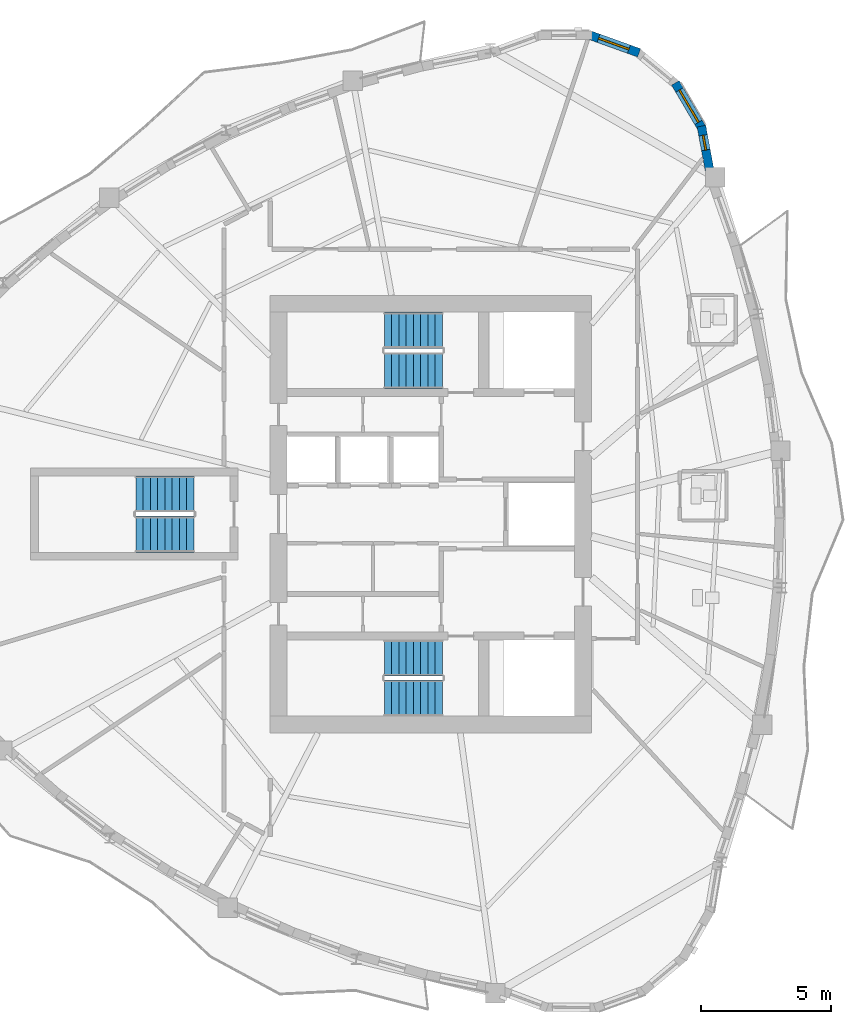
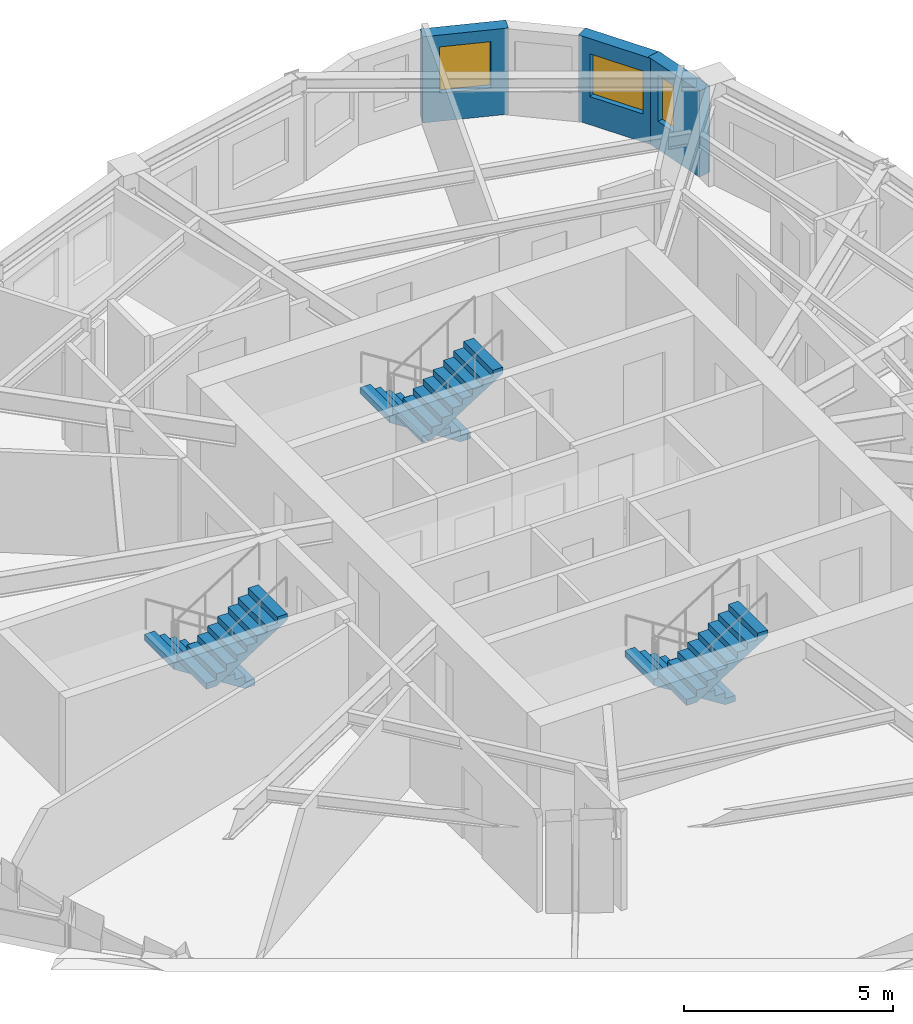
# One storey, part 8 of 12: 6 stair flights, 3 walls, 3 windows, 3 openings, 3 elements without a shape of their own.
"""IFC4 building model written with IfcOpenShell, lengths in metres."""

from ifc_helpers import new_model, si_unit, direction, frame, frame_2d, origin, place, context, subcontext, project, spatial, polyline, rectangle, outline, extrude, source, transform, mapped, material, layer, layer_set, type_object, element, fill, aggregate, save


model = new_model("IFC4")

# Units and contexts
model_context = context("Model", 3, precision=1e-05, world=origin(), true_north=direction((0.0, 1.0)))
body_context = subcontext(model_context, "Body", "Model", "MODEL_VIEW")
ifc_project = project(units=[si_unit("LENGTHUNIT", "METRE"), si_unit("AREAUNIT", "SQUARE_METRE"), si_unit("VOLUMEUNIT", "CUBIC_METRE"), si_unit("PLANEANGLEUNIT", "RADIAN"), si_unit("MASSUNIT", "GRAM", prefix="KILO")], contexts=[model_context])

# Site, building, storey
site_placement = place(None, origin())
site = spatial("IfcSite", under=ifc_project, at=site_placement, CompositionType="ELEMENT")
building_placement = place(site_placement, origin())
building = spatial("IfcBuilding", under=site, at=building_placement, Name="Qafzar Sky-Pleat Residences", CompositionType="ELEMENT")
storey_placement = place(building_placement, frame((0.0, 0.0, 149.0)))
storey = spatial("IfcBuildingStorey", under=building, at=storey_placement, Name="L44", CompositionType="ELEMENT", Elevation=149.0)

# Wall, opening, window
ifc_material_1 = material(Name="Precast concrete C40/50 with honed Riyadh limestone", Category="concrete")
ifc_layer = layer(ifc_material_1, 0.340087890625)
ifc_layer_set = layer_set([ifc_layer], Name="Precast concrete C40/50 with honed Riyadh limestone")
wall_type = type_object("IfcWallType", Name="WALL-EXT-340", PredefinedType="SOLIDWALL", material=ifc_layer_set)
wall_1_placement = place(storey_placement, frame((41.142822265625, 39.12353515625, 0.0), z_axis=(0.0, 0.0, 1.0), x_axis=(-0.182320770307, 0.983239104549, 0.0)))
wall_1 = element("IfcWall", 1, at=wall_1_placement, inside=storey, type_object=wall_type, Name="L44 Limestone Facade Wall 33", PredefinedType="SOLIDWALL", context=body_context, shape_type="SweptSolid", body=[
    extrude(rectangle(XDim=1.88818359375, YDim=0.340087890625, at=frame_2d((0.944091796875, 0.0))), origin(), (0.0, 0.0, 1.0), 2.514892578125),
])
opening_1_placement = place(wall_1_placement, frame((0.949462890625, 0.0, 0.820068359375)))
opening_1 = element("IfcOpeningElement", 2, at=opening_1_placement, cuts=wall_1, Name="Opening WN-17", PredefinedType="OPENING", context=body_context, shape_type="SweptSolid", body=[
    extrude(rectangle(XDim=0.580078125, YDim=1.35009765625, at=frame_2d((0.2900390625, 0.675048828125))), frame((0.0, 0.18017578125, 0.0), z_axis=(0.0, -1.0, 0.0), x_axis=(1.0, 0.0, 0.0)), (0.0, 0.0, 1.0), 0.360107421875),
])
ifc_material_2 = material(Name="Solar-control low-E glass in bronze aluminium frame", Category="glass")
window_type_1 = type_object("IfcWindowType", Name="WIN-17", PartitioningType="SINGLE_PANEL", PredefinedType="WINDOW", material=ifc_material_2)
shared_shape_1 = source(origin(), body_context, "Body", "SweptSolid", [
    extrude(rectangle(XDim=0.580078125, YDim=1.35009765625, at=frame_2d((0.2900390625, 0.675048828125))), frame((0.0, 0.030029296875, 0.0), z_axis=(0.0, -1.0, 0.0), x_axis=(1.0, 0.0, 0.0)), (0.0, 0.0, 1.0), 0.06005859375),
])
window_1_placement = place(opening_1_placement, origin())
window_1 = element("IfcWindow", 3, at=window_1_placement, inside=storey, type_object=window_type_1, Name="L44 Punched Facade Window 33-2", OverallHeight=1.35009765625, OverallWidth=0.580078125, PartitioningType="SINGLE_PANEL", PredefinedType="WINDOW", context=body_context, shape_type="MappedRepresentation", body=[
    mapped(shared_shape_1, transform((0.0, 0.0, 0.0), x_axis=(1.0, 0.0, 0.0), y_axis=(0.0, 1.0, 0.0), z_axis=(0.0, 0.0, 1.0), scale=1.0)),
])
fill(opening_1, window_1)

wall_2_placement = place(storey_placement, frame((40.84521484375, 40.85498046875, 0.0), z_axis=(0.0, 0.0, 1.0), x_axis=(-0.506225227923, 0.862401309493, 0.0)))
wall_2 = element("IfcWall", 4, at=wall_2_placement, inside=storey, type_object=wall_type, Name="L44 Limestone Facade Wall 34", PredefinedType="SOLIDWALL", context=body_context, shape_type="SweptSolid", body=[
    extrude(rectangle(XDim=2.0810546875, YDim=0.340087890625, at=frame_2d((1.04052734375, 0.0))), origin(), (0.0, 0.0, 1.0), 2.514892578125),
])
opening_2_placement = place(wall_2_placement, frame((0.315673828125, 0.0, 0.820068359375)))
opening_2 = element("IfcOpeningElement", 5, at=opening_2_placement, cuts=wall_2, Name="Opening WN-15", PredefinedType="OPENING", context=body_context, shape_type="SweptSolid", body=[
    extrude(rectangle(XDim=1.449951171875, YDim=1.25, at=frame_2d((0.72509765625, 0.625))), frame((0.0, 0.18017578125, 0.0), z_axis=(0.0, -1.0, 0.0), x_axis=(1.0, 0.0, 0.0)), (0.0, 0.0, 1.0), 0.360107421875),
])
window_type_2 = type_object("IfcWindowType", Name="WIN-15", PartitioningType="SINGLE_PANEL", PredefinedType="WINDOW", material=ifc_material_2)
shared_shape_2 = source(origin(), body_context, "Body", "SweptSolid", [
    extrude(rectangle(XDim=1.449951171875, YDim=1.25, at=frame_2d((0.72509765625, 0.625))), frame((0.0, 0.030029296875, 0.0), z_axis=(0.0, -1.0, 0.0), x_axis=(1.0, 0.0, 0.0)), (0.0, 0.0, 1.0), 0.06005859375),
])
window_2_placement = place(opening_2_placement, origin())
window_2 = element("IfcWindow", 6, at=window_2_placement, inside=storey, type_object=window_type_2, Name="L44 Punched Facade Window 34", OverallHeight=1.25, OverallWidth=1.449951171875, PartitioningType="SINGLE_PANEL", PredefinedType="WINDOW", context=body_context, shape_type="MappedRepresentation", body=[
    mapped(shared_shape_2, transform((0.0, 0.0, 0.0), x_axis=(1.0, 0.0, 0.0), y_axis=(0.0, 1.0, 0.0), z_axis=(0.0, 0.0, 1.0), scale=1.0)),
])
fill(opening_2, window_2)

wall_3_placement = place(storey_placement, frame((38.392578125, 43.810302734375, 0.0), z_axis=(0.0, 0.0, 1.0), x_axis=(-0.941033874027, 0.338312352617, 0.0)))
wall_3 = element("IfcWall", 7, at=wall_3_placement, inside=storey, type_object=wall_type, Name="L44 Limestone Facade Wall 36", PredefinedType="SOLIDWALL", context=body_context, shape_type="SweptSolid", body=[
    extrude(rectangle(XDim=2.081298828125, YDim=0.340087890625, at=frame_2d((1.04052734375, 0.0))), origin(), (0.0, 0.0, 1.0), 2.514892578125),
])
opening_3_placement = place(wall_3_placement, frame((0.41552734375, 0.0, 0.820068359375)))
opening_3 = element("IfcOpeningElement", 8, at=opening_3_placement, cuts=wall_3, Name="Opening WN-11", PredefinedType="OPENING", context=body_context, shape_type="SweptSolid", body=[
    extrude(rectangle(XDim=1.25, YDim=1.35009765625, at=frame_2d((0.625, 0.675048828125))), frame((0.0, 0.18017578125, 0.0), z_axis=(0.0, -1.0, 0.0), x_axis=(1.0, 0.0, 0.0)), (0.0, 0.0, 1.0), 0.360107421875),
])
window_type_3 = type_object("IfcWindowType", Name="WIN-11", PartitioningType="SINGLE_PANEL", PredefinedType="WINDOW", material=ifc_material_2)
shared_shape_3 = source(origin(), body_context, "Body", "SweptSolid", [
    extrude(rectangle(XDim=1.25, YDim=1.35009765625, at=frame_2d((0.625, 0.675048828125))), frame((0.0, 0.030029296875, 0.0), z_axis=(0.0, -1.0, 0.0), x_axis=(1.0, 0.0, 0.0)), (0.0, 0.0, 1.0), 0.06005859375),
])
window_3_placement = place(opening_3_placement, origin())
window_3 = element("IfcWindow", 9, at=window_3_placement, inside=storey, type_object=window_type_3, Name="L44 Punched Facade Window 36", OverallHeight=1.35009765625, OverallWidth=1.25, PartitioningType="SINGLE_PANEL", PredefinedType="WINDOW", context=body_context, shape_type="MappedRepresentation", body=[
    mapped(shared_shape_3, transform((0.0, 0.0, 0.0), x_axis=(1.0, 0.0, 0.0), y_axis=(0.0, 1.0, 0.0), z_axis=(0.0, 0.0, 1.0), scale=1.0)),
])
fill(opening_3, window_3)

# Stair, stair flights
ifc_material_3 = material(Name="Concrete C40/50", Category="concrete")
stair_type = type_object("IfcStairType", Name="STAIR-H320", PredefinedType="HALF_TURN_STAIR", material=ifc_material_3)
stair_1_placement = place(storey_placement, origin())
stair_1 = element("IfcStair", 10, at=stair_1_placement, inside=storey, type_object=stair_type, Name="L44 Protected Exit Stair ST1", PredefinedType="HALF_TURN_STAIR")
stair_flight_type = type_object("IfcStairFlightType", Name="FLIGHT-H320", PredefinedType="STRAIGHT", material=ifc_material_3)
shared_shape_4 = source(origin(), body_context, "Body", "SweptSolid", [
    extrude(outline(polyline([(0.0, 0.0), (0.0, 0.177734375), (0.280029296875, 0.177734375), (0.280029296875, 0.35546875), (0.56005859375, 0.35546875), (0.56005859375, 0.533447265625), (0.840087890625, 0.533447265625), (0.840087890625, 0.711181640625), (1.1201171875, 0.711181640625), (1.1201171875, 0.888916015625), (1.39990234375, 0.888916015625), (1.39990234375, 1.066650390625), (1.679931640625, 1.066650390625), (1.679931640625, 1.244384765625), (1.9599609375, 1.244384765625), (1.9599609375, 1.422119140625), (2.239990234375, 1.422119140625), (2.239990234375, 1.60009765625), (2.239990234375, 1.24462890625), (0.27978515625, 0.0), (0.0, 0.0)])), frame((0.0, 0.699951171875, 0.0), z_axis=(0.0, -1.0, 0.0), x_axis=(1.0, 0.0, 0.0)), (0.0, 0.0, 1.0), 1.39990234375),
])
stair_flight_1_placement = place(storey_placement, frame((30.800048828125, 20.449951171875, 0.0), z_axis=(0.0, 0.0, 1.0), x_axis=(-1.0, 0.0, 0.0)))
stair_flight_1 = element("IfcStairFlight", 11, at=stair_flight_1_placement, type_object=stair_flight_type, Name="ST1 flight 1", NumberOfRisers=9, NumberOfTreads=8, PredefinedType="STRAIGHT", RiserHeight=0.177777778, TreadLength=0.28, context=body_context, shape_type="MappedRepresentation", body=[
    mapped(shared_shape_4, transform((0.0, 0.0, 0.0), x_axis=(1.0, 0.0, 0.0), y_axis=(0.0, 1.0, 0.0), z_axis=(0.0, 0.0, 1.0), scale=1.0)),
])
stair_flight_2_placement = place(storey_placement, frame((28.56005859375, 18.89990234375, 1.60009765625), z_axis=(0.0, 0.0, 1.0), x_axis=(1.0, 0.0, 0.0)))
stair_flight_2 = element("IfcStairFlight", 12, at=stair_flight_2_placement, type_object=stair_flight_type, Name="ST1 flight 2", NumberOfRisers=9, NumberOfTreads=8, PredefinedType="STRAIGHT", RiserHeight=0.177777778, TreadLength=0.28, context=body_context, shape_type="MappedRepresentation", body=[
    mapped(shared_shape_4, transform((0.0, 0.0, 0.0), x_axis=(1.0, 0.0, 0.0), y_axis=(0.0, 1.0, 0.0), z_axis=(0.0, 0.0, 1.0), scale=1.0)),
])
aggregate(stair_1, [stair_flight_1, stair_flight_2])

stair_2_placement = place(storey_placement, origin())
stair_2 = element("IfcStair", 13, at=stair_2_placement, inside=storey, type_object=stair_type, Name="L44 Protected Exit Stair ST2", PredefinedType="HALF_TURN_STAIR")
stair_flight_3_placement = place(storey_placement, frame((30.800048828125, 33.10009765625, 0.0), z_axis=(0.0, 0.0, 1.0), x_axis=(-1.0, 0.0, 0.0)))
stair_flight_3 = element("IfcStairFlight", 14, at=stair_flight_3_placement, type_object=stair_flight_type, Name="ST2 flight 1", NumberOfRisers=9, NumberOfTreads=8, PredefinedType="STRAIGHT", RiserHeight=0.177777778, TreadLength=0.28, context=body_context, shape_type="MappedRepresentation", body=[
    mapped(shared_shape_4, transform((0.0, 0.0, 0.0), x_axis=(1.0, 0.0, 0.0), y_axis=(0.0, 1.0, 0.0), z_axis=(0.0, 0.0, 1.0), scale=1.0)),
])
stair_flight_4_placement = place(storey_placement, frame((28.56005859375, 31.550048828125, 1.60009765625), z_axis=(0.0, 0.0, 1.0), x_axis=(1.0, 0.0, 0.0)))
stair_flight_4 = element("IfcStairFlight", 15, at=stair_flight_4_placement, type_object=stair_flight_type, Name="ST2 flight 2", NumberOfRisers=9, NumberOfTreads=8, PredefinedType="STRAIGHT", RiserHeight=0.177777778, TreadLength=0.28, context=body_context, shape_type="MappedRepresentation", body=[
    mapped(shared_shape_4, transform((0.0, 0.0, 0.0), x_axis=(1.0, 0.0, 0.0), y_axis=(0.0, 1.0, 0.0), z_axis=(0.0, 0.0, 1.0), scale=1.0)),
])
aggregate(stair_2, [stair_flight_3, stair_flight_4])

stair_3_placement = place(storey_placement, origin())
stair_3 = element("IfcStair", 16, at=stair_3_placement, inside=storey, type_object=stair_type, Name="L44 Protected Exit Stair ST3", PredefinedType="HALF_TURN_STAIR")
stair_flight_5_placement = place(storey_placement, frame((21.199951171875, 26.77490234375, 0.0), z_axis=(0.0, 0.0, 1.0), x_axis=(-1.0, 0.0, 0.0)))
stair_flight_5 = element("IfcStairFlight", 17, at=stair_flight_5_placement, type_object=stair_flight_type, Name="ST3 flight 1", NumberOfRisers=9, NumberOfTreads=8, PredefinedType="STRAIGHT", RiserHeight=0.177777778, TreadLength=0.28, context=body_context, shape_type="MappedRepresentation", body=[
    mapped(shared_shape_4, transform((0.0, 0.0, 0.0), x_axis=(1.0, 0.0, 0.0), y_axis=(0.0, 1.0, 0.0), z_axis=(0.0, 0.0, 1.0), scale=1.0)),
])
stair_flight_6_placement = place(storey_placement, frame((18.9599609375, 25.22509765625, 1.60009765625), z_axis=(0.0, 0.0, 1.0), x_axis=(1.0, 0.0, 0.0)))
stair_flight_6 = element("IfcStairFlight", 18, at=stair_flight_6_placement, type_object=stair_flight_type, Name="ST3 flight 2", NumberOfRisers=9, NumberOfTreads=8, PredefinedType="STRAIGHT", RiserHeight=0.177777778, TreadLength=0.28, context=body_context, shape_type="MappedRepresentation", body=[
    mapped(shared_shape_4, transform((0.0, 0.0, 0.0), x_axis=(1.0, 0.0, 0.0), y_axis=(0.0, 1.0, 0.0), z_axis=(0.0, 0.0, 1.0), scale=1.0)),
])
aggregate(stair_3, [stair_flight_5, stair_flight_6])

save(model, "model.ifc")
